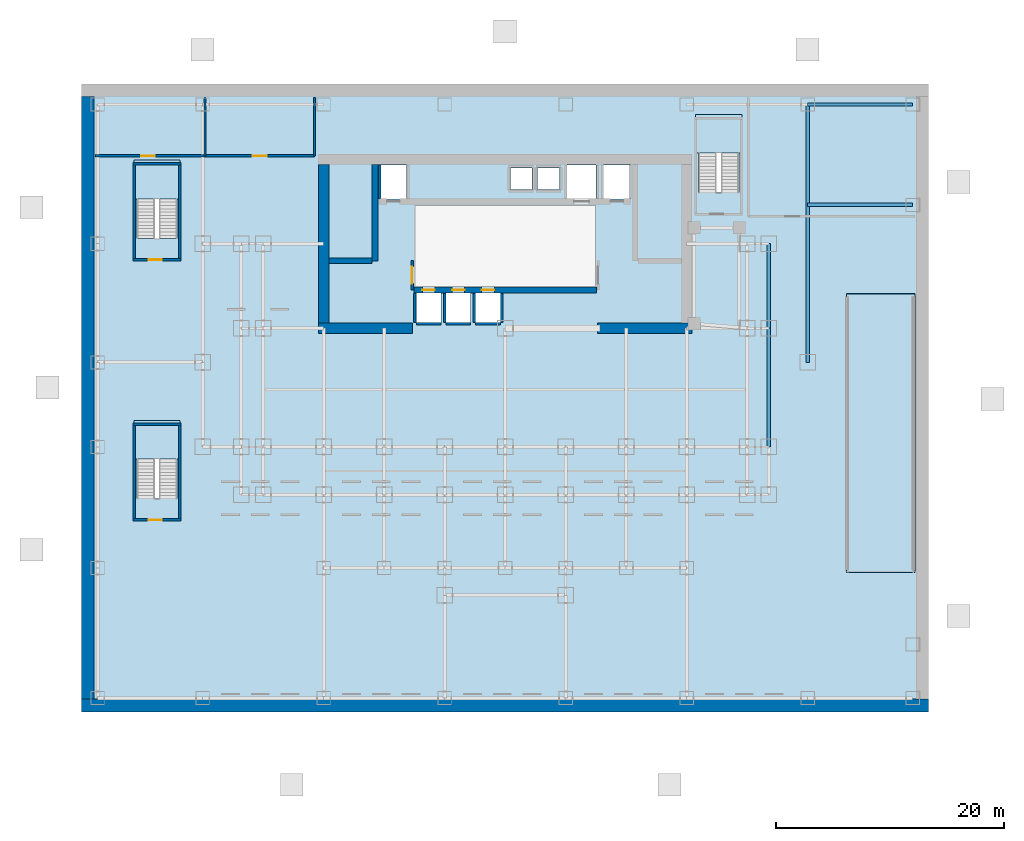
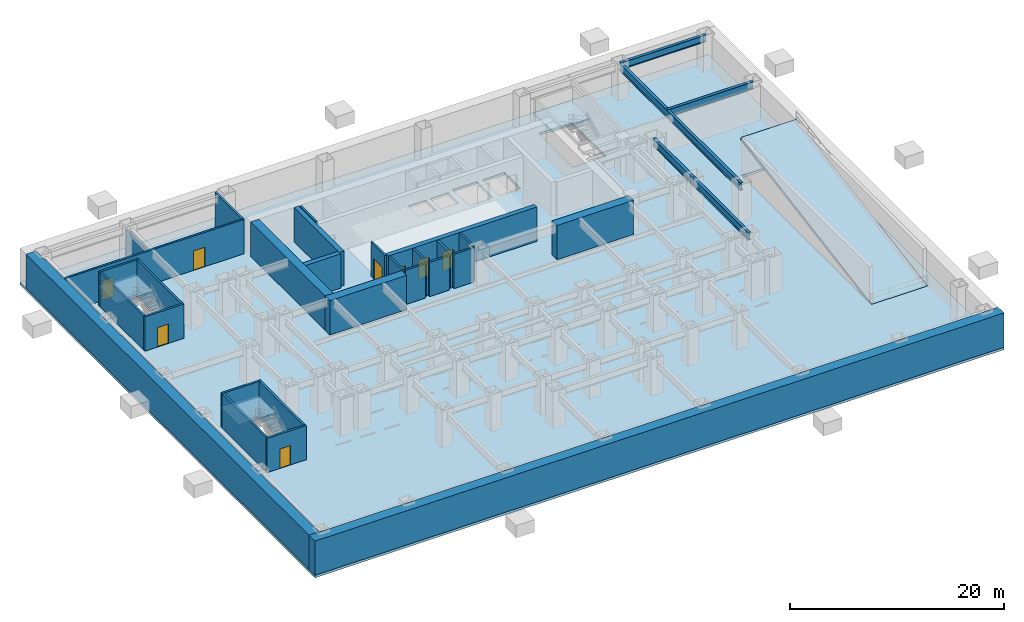
# One storey, part 3 of 7: 28 walls, 8 doors, 5 beams, 5 slabs, 8 openings, 3 elements without a shape of their own.
"""IFC4 building model written with IfcOpenShell, lengths in metres."""

from ifc_helpers import new_model, si_unit, direction, frame, frame_2d, origin, origin_2d, place, context, subcontext, project, spatial, polyline, rectangle, i_section, outline, extrude, material, layer, layer_set, material_profile, profile_set, type_object, element, fill, aggregate, save


model = new_model("IFC4")

# Units and contexts
model_context = context("Model", 3, precision=1e-05, world=origin(), true_north=direction((0.0, 1.0)))
body_context = subcontext(model_context, "Body", "Model", "MODEL_VIEW")
ifc_project = project(units=[si_unit("LENGTHUNIT", "METRE"), si_unit("AREAUNIT", "SQUARE_METRE"), si_unit("VOLUMEUNIT", "CUBIC_METRE"), si_unit("PLANEANGLEUNIT", "RADIAN"), si_unit("MASSUNIT", "GRAM", prefix="KILO")], contexts=[model_context])

# Site, building, storey
site_placement = place(None, origin())
site = spatial("IfcSite", under=ifc_project, at=site_placement, CompositionType="ELEMENT")
building_placement = place(site_placement, origin())
building = spatial("IfcBuilding", under=site, at=building_placement, Name="Qianlan Lanfeng Residences", CompositionType="ELEMENT")
storey_placement = place(building_placement, frame((0.0, 0.0, -4.199951171875)))
storey = spatial("IfcBuildingStorey", under=building, at=storey_placement, Name="B1", CompositionType="ELEMENT", Elevation=-4.199951171875)

# Beams
ifc_material_1 = material(Name="Steel SN490B", Category="steel")
ifc_material_profile_1 = material_profile(ifc_material_1, i_section(OverallWidth=0.300048828125, OverallDepth=0.85009765625, WebThickness=0.01611328125, FlangeThickness=0.031982421875, at=origin_2d()), Name="H 850x300x16x32")
ifc_profile_set_1 = profile_set([ifc_material_profile_1], Name="Steel SN490B")
beam_type_1 = type_object("IfcBeamType", Name="G-1100", PredefinedType="BEAM", material=ifc_profile_set_1)
beam_1_placement = place(storey_placement, frame((49.60009765625, 14.800048828125, 3.474853515625), z_axis=(0.0, 1.0, 0.0), x_axis=(-1.0, 0.0, 0.0)))
element("IfcBeam", 1, at=beam_1_placement, inside=storey, type_object=beam_type_1, Name="Structural beam G-1100", PredefinedType="BEAM", context=body_context, shape_type="SweptSolid", body=[
    extrude(i_section(OverallWidth=0.300048828125, OverallDepth=0.85009765625, WebThickness=0.01611328125, FlangeThickness=0.031982421875, at=origin_2d()), origin(), (0.0, 0.0, 1.0), 10.39990234375),
])
beam_2_placement = place(storey_placement, frame((49.60009765625, 25.199951171875, 3.474853515625), z_axis=(0.0, 1.0, 0.0), x_axis=(-1.0, 0.0, 0.0)))
element("IfcBeam", 2, at=beam_2_placement, inside=storey, type_object=beam_type_1, Name="Structural beam G-1100", PredefinedType="BEAM", context=body_context, shape_type="SweptSolid", body=[
    extrude(i_section(OverallWidth=0.300048828125, OverallDepth=0.85009765625, WebThickness=0.01611328125, FlangeThickness=0.031982421875, at=origin_2d()), origin(), (0.0, 0.0, 1.0), 7.400146484375),
])
beam_3_placement = place(storey_placement, frame((53.0, 36.0, 3.474853515625), z_axis=(1.0, 0.0, 0.0), x_axis=(0.0, 1.0, 0.0)))
element("IfcBeam", 3, at=beam_3_placement, inside=storey, type_object=beam_type_1, Name="Structural beam G-1100", PredefinedType="BEAM", context=body_context, shape_type="SweptSolid", body=[
    extrude(i_section(OverallWidth=0.300048828125, OverallDepth=0.85009765625, WebThickness=0.01611328125, FlangeThickness=0.031982421875, at=origin_2d()), origin(), (0.0, 0.0, 1.0), 9.199951171875),
])
beam_4_placement = place(storey_placement, frame((53.0, 22.199951171875, 3.474853515625), z_axis=(0.0, 1.0, 0.0), x_axis=(-1.0, 0.0, 0.0)))
element("IfcBeam", 4, at=beam_4_placement, inside=storey, type_object=beam_type_1, Name="Structural beam G-1100", PredefinedType="BEAM", context=body_context, shape_type="SweptSolid", body=[
    extrude(i_section(OverallWidth=0.300048828125, OverallDepth=0.85009765625, WebThickness=0.01611328125, FlangeThickness=0.031982421875, at=origin_2d()), origin(), (0.0, 0.0, 1.0), 22.60009765625),
])
ifc_material_profile_2 = material_profile(ifc_material_1, i_section(OverallWidth=0.300048828125, OverallDepth=0.800048828125, WebThickness=0.01611328125, FlangeThickness=0.028076171875, at=origin_2d()), Name="H 800x300x16x28")
ifc_profile_set_2 = profile_set([ifc_material_profile_2], Name="Steel SN490B")
beam_type_2 = type_object("IfcBeamType", Name="SG-950", PredefinedType="SPANDREL", material=ifc_profile_set_2)
beam_5_placement = place(storey_placement, frame((53.0, 44.800048828125, 3.5), z_axis=(1.0, 0.0, 0.0), x_axis=(0.0, 1.0, 0.0)))
element("IfcBeam", 5, at=beam_5_placement, inside=storey, type_object=beam_type_2, Name="Structural beam SG-950", PredefinedType="SPANDREL", context=body_context, shape_type="SweptSolid", body=[
    extrude(i_section(OverallWidth=0.300048828125, OverallDepth=0.800048828125, WebThickness=0.01611328125, FlangeThickness=0.028076171875, at=origin_2d()), origin(), (0.0, 0.0, 1.0), 9.199951171875),
])

# Slab
ifc_material_2 = material(Name="Concrete C49", Category="concrete")
ifc_layer_1 = layer(ifc_material_2, 0.280029296875)
ifc_layer_set_1 = layer_set([ifc_layer_1], Name="Concrete C49")
slab_type_1 = type_object("IfcSlabType", Name="S-FL-280", PredefinedType="FLOOR", material=ifc_layer_set_1)
slab_1_placement = place(storey_placement, frame((0.0, 0.0, -0.280029296875)))
element("IfcSlab", 6, at=slab_1_placement, inside=storey, type_object=slab_type_1, Name="B1 Structural Floor Slab", PredefinedType="FLOOR", context=body_context, shape_type="SweptSolid", body=[
    extrude(outline(polyline([(-10.60009765625, -8.39990234375), (63.60009765625, -8.39990234375), (63.60009765625, 46.60009765625), (-10.60009765625, 46.60009765625), (-10.60009765625, -8.39990234375)]), holes=[polyline([(-5.77001953125, 33.080078125), (-5.77001953125, 39.3798828125), (-2.22998046875, 39.3798828125), (-2.22998046875, 33.080078125), (-5.77001953125, 33.080078125)]), polyline([(43.429931640625, 37.080078125), (43.429931640625, 43.3798828125), (46.969970703125, 43.3798828125), (46.969970703125, 37.080078125), (43.429931640625, 37.080078125)]), polyline([(-5.77001953125, 10.280029296875), (-5.77001953125, 16.580078125), (-2.22998046875, 16.580078125), (-2.22998046875, 10.280029296875), (-5.77001953125, 10.280029296875)]), polyline([(15.52001953125, 36.52001953125), (15.52001953125, 39.47998046875), (17.8798828125, 39.47998046875), (17.8798828125, 36.52001953125), (15.52001953125, 36.52001953125)]), polyline([(35.1201171875, 36.52001953125), (35.1201171875, 39.47998046875), (37.47998046875, 39.47998046875), (37.47998046875, 36.52001953125), (35.1201171875, 36.52001953125)]), polyline([(31.919921875, 36.52001953125), (31.919921875, 39.47998046875), (34.47998046875, 39.47998046875), (34.47998046875, 36.52001953125), (31.919921875, 36.52001953125)]), polyline([(18.719970703125, 25.719970703125), (18.719970703125, 28.280029296875), (20.8798828125, 28.280029296875), (20.8798828125, 25.719970703125), (18.719970703125, 25.719970703125)]), polyline([(21.320068359375, 25.719970703125), (21.320068359375, 28.280029296875), (23.47998046875, 28.280029296875), (23.47998046875, 25.719970703125), (21.320068359375, 25.719970703125)]), polyline([(23.919921875, 25.719970703125), (23.919921875, 28.280029296875), (26.080078125, 28.280029296875), (26.080078125, 25.719970703125), (23.919921875, 25.719970703125)]), polyline([(26.949951171875, 37.35009765625), (26.949951171875, 39.25), (28.85009765625, 39.25), (28.85009765625, 37.35009765625), (26.949951171875, 37.35009765625)]), polyline([(29.35009765625, 37.35009765625), (29.35009765625, 39.25), (31.25, 39.25), (31.25, 37.35009765625), (29.35009765625, 37.35009765625)]), polyline([(56.39990234375, 4.0), (56.39990234375, 28.0), (62.39990234375, 28.0), (62.39990234375, 4.0), (56.39990234375, 4.0)])]), origin(), (0.0, 0.0, 1.0), 0.280029296875),
])

# Stair, slab
ifc_material_3 = material(Name="Concrete C42", Category="concrete")
stair_type = type_object("IfcStairType", Name="STR-POD", PredefinedType="HALF_TURN_STAIR", material=ifc_material_3)
stair_1_placement = place(storey_placement, origin())
stair_1 = element("IfcStair", 7, at=stair_1_placement, inside=storey, type_object=stair_type, Name="B1 Exit Stair ST-B1", PredefinedType="HALF_TURN_STAIR")
ifc_layer_2 = layer(ifc_material_3, 0.179931640625)
ifc_layer_set_2 = layer_set([ifc_layer_2], Name="Concrete C42")
slab_type_2 = type_object("IfcSlabType", Name="S-LND-180", PredefinedType="LANDING", material=ifc_layer_set_2)
slab_2_placement = place(storey_placement, frame((0.0, 0.0, 1.89990234375)))
slab_2 = element("IfcSlab", 8, at=slab_2_placement, type_object=slab_type_2, Name="ST-B1 landing 1", PredefinedType="LANDING", context=body_context, shape_type="SweptSolid", body=[
    extrude(outline(polyline([(-6.030029296875, 36.530029296875), (-1.969970703125, 36.530029296875), (-1.969970703125, 39.929931640625), (-6.030029296875, 39.929931640625), (-6.030029296875, 36.530029296875)])), origin(), (0.0, 0.0, 1.0), 0.199951171875),
])
aggregate(stair_1, [slab_2])

stair_2_placement = place(storey_placement, origin())
stair_2 = element("IfcStair", 9, at=stair_2_placement, inside=storey, type_object=stair_type, Name="B1 Exit Stair ST-B2", PredefinedType="HALF_TURN_STAIR")
slab_3_placement = place(storey_placement, frame((0.0, 0.0, 1.89990234375)))
slab_3 = element("IfcSlab", 10, at=slab_3_placement, type_object=slab_type_2, Name="ST-B2 landing 1", PredefinedType="LANDING", context=body_context, shape_type="SweptSolid", body=[
    extrude(outline(polyline([(43.169921875, 40.530029296875), (47.22998046875, 40.530029296875), (47.22998046875, 43.929931640625), (43.169921875, 43.929931640625), (43.169921875, 40.530029296875)])), origin(), (0.0, 0.0, 1.0), 0.199951171875),
])
aggregate(stair_2, [slab_3])

stair_3_placement = place(storey_placement, origin())
stair_3 = element("IfcStair", 11, at=stair_3_placement, inside=storey, type_object=stair_type, Name="B1 Exit Stair ST-BP1", PredefinedType="HALF_TURN_STAIR")
slab_4_placement = place(storey_placement, frame((0.0, 0.0, 1.89990234375)))
slab_4 = element("IfcSlab", 12, at=slab_4_placement, type_object=slab_type_2, Name="ST-BP1 landing 1", PredefinedType="LANDING", context=body_context, shape_type="SweptSolid", body=[
    extrude(outline(polyline([(-6.030029296875, 13.72998046875), (-1.969970703125, 13.72998046875), (-1.969970703125, 17.1298828125), (-6.030029296875, 17.1298828125), (-6.030029296875, 13.72998046875)])), origin(), (0.0, 0.0, 1.0), 0.199951171875),
])
aggregate(stair_3, [slab_4])

# Slab
ifc_layer_3 = layer(ifc_material_2, 0.300048828125)
ifc_layer_set_3 = layer_set([ifc_layer_3], Name="Concrete C49")
slab_type_3 = type_object("IfcSlabType", Name="S-VRMP-300", PredefinedType="FLOOR", material=ifc_layer_set_3)
slab_5_placement = place(storey_placement, frame((56.39990234375, 3.800048828125, 0.0), z_axis=(0.0, -0.169635146258, 0.985506934097), x_axis=(1.0, 0.0, 0.0)))
element("IfcSlab", 13, at=slab_5_placement, inside=storey, type_object=slab_type_3, Name="B1 Sloped Structural Vehicle Car-Park Ramp Slab (S-VRMP-300)", PredefinedType="FLOOR", context=body_context, shape_type="SweptSolid", body=[
    extrude(outline(polyline([(0.0, 0.0), (6.0, 0.0), (6.0, 24.758732282382127), (0.0, 24.758732282382127), (0.0, 0.0)])), origin(), (0.0, 0.0, -1.0), 0.300048828125),
])

# Walls
ifc_material_4 = material(Name="Concrete C70", Category="concrete")
ifc_layer_4 = layer(ifc_material_4, 0.5)
ifc_layer_set_4 = layer_set([ifc_layer_4], Name="Concrete C70")
wall_type_1 = type_object("IfcWallType", Name="CW-RC-500", PredefinedType="SHEAR", material=ifc_layer_set_4)
wall_1_placement = place(storey_placement, frame((15.10009765625, 31.10009765625, 0.0), z_axis=(0.0, 0.0, 1.0), x_axis=(0.0, 1.0, 0.0)))
element("IfcWall", 14, at=wall_1_placement, inside=storey, type_object=wall_type_1, Name="B1 Core Shear Wall ST1E", PredefinedType="SHEAR", context=body_context, shape_type="SweptSolid", body=[
    extrude(rectangle(XDim=8.449951171875, YDim=0.5, at=frame_2d((4.22509765625, 0.0))), origin(), (0.0, 0.0, 1.0), 3.89990234375),
])
wall_2_placement = place(storey_placement, frame((11.050048828125, 31.10009765625, 0.0), z_axis=(0.0, 0.0, 1.0), x_axis=(1.0, 0.0, 0.0)))
element("IfcWall", 15, at=wall_2_placement, inside=storey, type_object=wall_type_1, Name="B1 Core Shear Wall ST1S", PredefinedType="SHEAR", context=body_context, shape_type="SweptSolid", body=[
    extrude(rectangle(XDim=3.800048828125, YDim=0.5, at=frame_2d((1.89990234375, 0.0))), origin(), (0.0, 0.0, 1.0), 3.89990234375),
])

# Wall, openings, doors
wall_3_placement = place(storey_placement, frame((18.5, 28.550048828125, 0.0), z_axis=(0.0, 0.0, 1.0), x_axis=(1.0, 0.0, 0.0)))
wall_3 = element("IfcWall", 16, at=wall_3_placement, inside=storey, type_object=wall_type_1, Name="B1 Core Shear Wall LBS", PredefinedType="SHEAR", context=body_context, shape_type="SweptSolid", body=[
    extrude(rectangle(XDim=16.0, YDim=0.5, at=frame_2d((8.0, 0.0))), origin(), (0.0, 0.0, 1.0), 3.89990234375),
])
opening_1_placement = place(wall_3_placement, frame((0.75, 0.0, 0.0)))
opening_1 = element("IfcOpeningElement", 17, at=opening_1_placement, cuts=wall_3, Name="Opening B1-LD-PL-L1", PredefinedType="OPENING", context=body_context, shape_type="SweptSolid", body=[
    extrude(rectangle(XDim=1.10009765625, YDim=2.14990234375, at=frame_2d((0.550048828125, 1.074951171875))), frame((0.0, 0.260009765625, 0.0), z_axis=(0.0, -1.0, 0.0), x_axis=(1.0, 0.0, 0.0)), (0.0, 0.0, 1.0), 0.52001953125),
])
opening_2_placement = place(wall_3_placement, frame((3.35009765625, 0.0, 0.0)))
opening_2 = element("IfcOpeningElement", 18, at=opening_2_placement, cuts=wall_3, Name="Opening B1-LD-PL-L2", PredefinedType="OPENING", context=body_context, shape_type="SweptSolid", body=[
    extrude(rectangle(XDim=1.10009765625, YDim=2.14990234375, at=frame_2d((0.550048828125, 1.074951171875))), frame((0.0, 0.260009765625, 0.0), z_axis=(0.0, -1.0, 0.0), x_axis=(1.0, 0.0, 0.0)), (0.0, 0.0, 1.0), 0.52001953125),
])
opening_3_placement = place(wall_3_placement, frame((5.949951171875, 0.0, 0.0)))
opening_3 = element("IfcOpeningElement", 19, at=opening_3_placement, cuts=wall_3, Name="Opening B1-LD-PL-L3", PredefinedType="OPENING", context=body_context, shape_type="SweptSolid", body=[
    extrude(rectangle(XDim=1.10009765625, YDim=2.14990234375, at=frame_2d((0.550048828125, 1.074951171875))), frame((0.0, 0.260009765625, 0.0), z_axis=(0.0, -1.0, 0.0), x_axis=(1.0, 0.0, 0.0)), (0.0, 0.0, 1.0), 0.52001953125),
])
ifc_material_5 = material(Name="Brushed Stainless Steel Sliding Lift Door", Category="steel")
door_type_1 = type_object("IfcDoorType", Name="LD-01", OperationType="NOTDEFINED", PredefinedType="DOOR", material=ifc_material_5)
door_1_placement = place(opening_1_placement, origin())
door_1 = element("IfcDoor", 20, at=door_1_placement, inside=storey, type_object=door_type_1, Name="B1 Elevator PL-L1 Sliding Landing Door", OperationType="DOUBLE_DOOR_SLIDING", OverallHeight=2.14990234375, OverallWidth=1.10009765625, PredefinedType="DOOR", context=body_context, shape_type="SweptSolid", body=[
    extrude(rectangle(XDim=1.10009765625, YDim=2.14990234375, at=frame_2d((0.550048828125, 1.074951171875))), frame((0.0, 0.02490234375, 0.0), z_axis=(0.0, -1.0, 0.0), x_axis=(1.0, 0.0, 0.0)), (0.0, 0.0, 1.0), 0.050048828125),
])
fill(opening_1, door_1)
door_2_placement = place(opening_2_placement, origin())
door_2 = element("IfcDoor", 21, at=door_2_placement, inside=storey, type_object=door_type_1, Name="B1 Elevator PL-L2 Sliding Landing Door", OperationType="DOUBLE_DOOR_SLIDING", OverallHeight=2.14990234375, OverallWidth=1.10009765625, PredefinedType="DOOR", context=body_context, shape_type="SweptSolid", body=[
    extrude(rectangle(XDim=1.10009765625, YDim=2.14990234375, at=frame_2d((0.550048828125, 1.074951171875))), frame((0.0, 0.02490234375, 0.0), z_axis=(0.0, -1.0, 0.0), x_axis=(1.0, 0.0, 0.0)), (0.0, 0.0, 1.0), 0.050048828125),
])
fill(opening_2, door_2)
door_3_placement = place(opening_3_placement, origin())
door_3 = element("IfcDoor", 22, at=door_3_placement, inside=storey, type_object=door_type_1, Name="B1 Elevator PL-L3 Sliding Landing Door", OperationType="DOUBLE_DOOR_SLIDING", OverallHeight=2.14990234375, OverallWidth=1.10009765625, PredefinedType="DOOR", context=body_context, shape_type="SweptSolid", body=[
    extrude(rectangle(XDim=1.10009765625, YDim=2.14990234375, at=frame_2d((0.550048828125, 1.074951171875))), frame((0.0, 0.02490234375, 0.0), z_axis=(0.0, -1.0, 0.0), x_axis=(1.0, 0.0, 0.0)), (0.0, 0.0, 1.0), 0.050048828125),
])
fill(opening_3, door_3)

# Walls
ifc_layer_5 = layer(ifc_material_4, 0.89990234375)
ifc_layer_set_5 = layer_set([ifc_layer_5], Name="Concrete C70")
wall_type_2 = type_object("IfcWallType", Name="CW-RC-900", PredefinedType="SHEAR", material=ifc_layer_set_5)
wall_4_placement = place(storey_placement, frame((10.60009765625, 25.64990234375, 0.0), z_axis=(0.0, 0.0, 1.0), x_axis=(0.0, 1.0, 0.0)))
element("IfcWall", 23, at=wall_4_placement, inside=storey, type_object=wall_type_2, Name="B1 Core Shear Wall W", PredefinedType="SHEAR", context=body_context, shape_type="SweptSolid", body=[
    extrude(rectangle(XDim=13.900146484375, YDim=0.89990234375, at=frame_2d((6.9501953125, 0.0))), origin(), (0.0, 0.0, 1.0), 3.89990234375),
])
for number, where, z_axis, x_axis, name in (
    (24, (10.14990234375, 25.199951171875, 0.0), (0.0, 0.0, 1.0), (1.0, 0.0, 0.0), "B1 Core Shear Wall SW"),
    (25, (34.60009765625, 25.199951171875, 0.0), (0.0, 0.0, 1.0), (1.0, 0.0, 0.0), "B1 Core Shear Wall SE"),
):
    element("IfcWall", number, at=place(storey_placement, frame(where, z_axis=z_axis, x_axis=x_axis)), inside=storey, type_object=wall_type_2, Name=name, PredefinedType="SHEAR", context=body_context, shape_type="SweptSolid", body=[
        extrude(rectangle(XDim=8.25, YDim=0.89990234375, at=frame_2d((4.125, 0.0))), origin(), (0.0, 0.0, 1.0), 3.89990234375),
    ])
ifc_layer_6 = layer(ifc_material_2, 1.10009765625)
ifc_layer_set_6 = layer_set([ifc_layer_6], Name="Concrete C49")
wall_type_3 = type_object("IfcWallType", Name="DW-1100", PredefinedType="USERDEFINED", material=ifc_layer_set_6)
wall_5_placement = place(storey_placement, frame((-10.60009765625, -7.85009765625, 0.0), z_axis=(0.0, 0.0, 1.0), x_axis=(1.0, 0.0, 0.0)))
element("IfcWall", 26, at=wall_5_placement, inside=storey, type_object=wall_type_3, Name="B1 Diaphragm Retaining Wall S", ObjectType="RETAININGWALL", PredefinedType="USERDEFINED", context=body_context, shape_type="SweptSolid", body=[
    extrude(rectangle(XDim=74.2001953125, YDim=1.10009765625, at=frame_2d((37.10009765625, 0.0))), origin(), (0.0, 0.0, 1.0), 3.89990234375),
])
wall_6_placement = place(storey_placement, frame((-10.050048828125, 45.5, 0.0), z_axis=(0.0, 0.0, 1.0), x_axis=(0.0, -1.0, 0.0)))
element("IfcWall", 27, at=wall_6_placement, inside=storey, type_object=wall_type_3, Name="B1 Diaphragm Retaining Wall W", ObjectType="RETAININGWALL", PredefinedType="USERDEFINED", context=body_context, shape_type="SweptSolid", body=[
    extrude(rectangle(XDim=52.800048828125, YDim=1.10009765625, at=frame_2d((26.39990234375, 0.0))), origin(), (0.0, 0.0, 1.0), 3.89990234375),
])

# Wall, opening, door
ifc_material_6 = material(Name="Autoclaved Aerated Concrete Blockwork 200 mm", Category="masonry")
ifc_layer_7 = layer(ifc_material_6, 0.199951171875)
ifc_layer_set_7 = layer_set([ifc_layer_7], Name="Autoclaved Aerated Concrete Blockwork 200 mm")
wall_type_4 = type_object("IfcWallType", Name="PW-200", PredefinedType="PARTITIONING", material=ifc_layer_set_7)
wall_7_placement = place(storey_placement, frame((18.35009765625, 28.550048828125, 0.0), z_axis=(0.0, 0.0, 1.0), x_axis=(0.0, 1.0, 0.0)))
wall_7 = element("IfcWall", 28, at=wall_7_placement, inside=storey, type_object=wall_type_4, Name="B1 Lift Lobby West Connector Wall", PredefinedType="PARTITIONING", context=body_context, shape_type="SweptSolid", body=[
    extrude(rectangle(XDim=2.599853515625, YDim=0.199951171875, at=frame_2d((1.2998046875, 0.0))), origin(), (0.0, 0.0, 1.0), 3.89990234375),
])
opening_4_placement = place(wall_7_placement, frame((0.550048828125, 0.0, 0.0)))
opening_4 = element("IfcOpeningElement", 29, at=opening_4_placement, cuts=wall_7, Name="Opening B1-D04", PredefinedType="OPENING", context=body_context, shape_type="SweptSolid", body=[
    extrude(rectangle(XDim=1.5, YDim=2.25, at=frame_2d((0.75, 1.125))), frame((0.0, 0.10986328125, 0.0), z_axis=(0.0, -1.0, 0.0), x_axis=(1.0, 0.0, 0.0)), (0.0, 0.0, 1.0), 0.219970703125),
])
ifc_material_7 = material(Name="Timber Veneer Acoustic Fire Door", Category="wood")
door_type_2 = type_object("IfcDoorType", Name="DT-COR1", OperationType="NOTDEFINED", PredefinedType="DOOR", material=ifc_material_7)
door_4_placement = place(opening_4_placement, origin())
door_4 = element("IfcDoor", 30, at=door_4_placement, inside=storey, type_object=door_type_2, Name="B1 Lift Lobby West Portal Door B1-D04 (DT-COR1)", OperationType="DOUBLE_DOOR_SINGLE_SWING", OverallHeight=2.25, OverallWidth=1.5, PredefinedType="DOOR", context=body_context, shape_type="SweptSolid", body=[
    extrude(rectangle(XDim=1.5, YDim=2.25, at=frame_2d((0.75, 1.125))), frame((0.0, 0.02490234375, 0.0), z_axis=(0.0, -1.0, 0.0), x_axis=(1.0, 0.0, 0.0)), (0.0, 0.0, 1.0), 0.050048828125),
])
fill(opening_4, door_4)

# Wall, openings, doors
wall_8_placement = place(storey_placement, frame((-9.39990234375, 40.300048828125, 0.0), z_axis=(0.0, 0.0, 1.0), x_axis=(1.0, 0.0, 0.0)))
wall_8 = element("IfcWall", 31, at=wall_8_placement, inside=storey, type_object=wall_type_4, Name="B1 Basement Plant Room Wall", PredefinedType="PARTITIONING", context=body_context, shape_type="SweptSolid", body=[
    extrude(rectangle(XDim=19.199951171875, YDim=0.199951171875, at=frame_2d((9.60009765625, 0.0))), origin(), (0.0, 0.0, 1.0), 3.89990234375),
])
opening_5_placement = place(wall_8_placement, frame((4.0, 0.0, 0.0)))
opening_5 = element("IfcOpeningElement", 32, at=opening_5_placement, cuts=wall_8, Name="Opening B1-D06", PredefinedType="OPENING", context=body_context, shape_type="SweptSolid", body=[
    extrude(rectangle(XDim=1.199951171875, YDim=2.199951171875, at=frame_2d((0.60009765625, 1.10009765625))), frame((0.0, 0.10986328125, 0.0), z_axis=(0.0, -1.0, 0.0), x_axis=(1.0, 0.0, 0.0)), (0.0, 0.0, 1.0), 0.219970703125),
])
opening_6_placement = place(wall_8_placement, frame((13.800048828125, 0.0, 0.0)))
opening_6 = element("IfcOpeningElement", 33, at=opening_6_placement, cuts=wall_8, Name="Opening B1-D07", PredefinedType="OPENING", context=body_context, shape_type="SweptSolid", body=[
    extrude(rectangle(XDim=1.199951171875, YDim=2.199951171875, at=frame_2d((0.60009765625, 1.10009765625))), frame((0.0, 0.10986328125, 0.0), z_axis=(0.0, -1.0, 0.0), x_axis=(1.0, 0.0, 0.0)), (0.0, 0.0, 1.0), 0.219970703125),
])
ifc_material_8 = material(Name="Painted Galvanised Steel Plant Door", Category="steel")
door_type_3 = type_object("IfcDoorType", Name="DT-PLT", OperationType="NOTDEFINED", PredefinedType="DOOR", material=ifc_material_8)
door_5_placement = place(opening_5_placement, origin())
door_5 = element("IfcDoor", 34, at=door_5_placement, inside=storey, type_object=door_type_3, Name="B1 Basement Plant Room Door B1-D06 (DT-PLT)", OperationType="SINGLE_SWING_RIGHT", OverallHeight=2.199951171875, OverallWidth=1.199951171875, PredefinedType="DOOR", context=body_context, shape_type="SweptSolid", body=[
    extrude(rectangle(XDim=1.199951171875, YDim=2.199951171875, at=frame_2d((0.60009765625, 1.10009765625))), frame((0.0, 0.02490234375, 0.0), z_axis=(0.0, -1.0, 0.0), x_axis=(1.0, 0.0, 0.0)), (0.0, 0.0, 1.0), 0.050048828125),
])
fill(opening_5, door_5)
door_6_placement = place(opening_6_placement, origin())
door_6 = element("IfcDoor", 35, at=door_6_placement, inside=storey, type_object=door_type_3, Name="B1 Fire Pump Room Door B1-D07 (DT-PLT)", OperationType="SINGLE_SWING_LEFT", OverallHeight=2.199951171875, OverallWidth=1.199951171875, PredefinedType="DOOR", context=body_context, shape_type="SweptSolid", body=[
    extrude(rectangle(XDim=1.199951171875, YDim=2.199951171875, at=frame_2d((0.60009765625, 1.10009765625))), frame((0.0, 0.02490234375, 0.0), z_axis=(0.0, -1.0, 0.0), x_axis=(1.0, 0.0, 0.0)), (0.0, 0.0, 1.0), 0.050048828125),
])
fill(opening_6, door_6)

# Walls
wall_9_placement = place(storey_placement, frame((9.800048828125, 40.300048828125, 0.0), z_axis=(0.0, 0.0, 1.0), x_axis=(0.0, 1.0, 0.0)))
element("IfcWall", 36, at=wall_9_placement, inside=storey, type_object=wall_type_4, Name="B1 Basement Plant East Wall", PredefinedType="PARTITIONING", context=body_context, shape_type="SweptSolid", body=[
    extrude(rectangle(XDim=5.099853515625, YDim=0.199951171875, at=frame_2d((2.5498046875, 0.0))), origin(), (0.0, 0.0, 1.0), 3.89990234375),
])
wall_10_placement = place(storey_placement, frame((0.199951171875, 40.300048828125, 0.0), z_axis=(0.0, 0.0, 1.0), x_axis=(0.0, 1.0, 0.0)))
element("IfcWall", 37, at=wall_10_placement, inside=storey, type_object=wall_type_4, Name="B1 Basement Plant Divider", PredefinedType="PARTITIONING", context=body_context, shape_type="SweptSolid", body=[
    extrude(rectangle(XDim=5.099853515625, YDim=0.199951171875, at=frame_2d((2.5498046875, 0.0))), origin(), (0.0, 0.0, 1.0), 3.044921875),
])
ifc_layer_8 = layer(ifc_material_2, 0.219970703125)
ifc_layer_set_8 = layer_set([ifc_layer_8], Name="Concrete C49")
wall_type_5 = type_object("IfcWallType", Name="SHW-220", PredefinedType="SOLIDWALL", material=ifc_layer_set_8)
wall_11_placement = place(storey_placement, frame((15.52001953125, 36.550048828125, 0.0), z_axis=(0.0, 0.0, 1.0), x_axis=(0.0, 1.0, 0.0)))
element("IfcWall", 38, at=wall_11_placement, inside=storey, type_object=wall_type_5, Name="B1 Lift FFL-1 Shaft Wall W", PredefinedType="SOLIDWALL", context=body_context, shape_type="SweptSolid", body=[
    extrude(rectangle(XDim=2.929931640625, YDim=0.219970703125, at=frame_2d((1.46484375, 0.0))), origin(), (0.0, 0.0, 1.0), 3.89990234375),
])
wall_12_placement = place(storey_placement, frame((18.60009765625, 25.719970703125, 0.0), z_axis=(0.0, 0.0, 1.0), x_axis=(0.0, 1.0, 0.0)))
element("IfcWall", 39, at=wall_12_placement, inside=storey, type_object=wall_type_5, Name="B1 Lift PL-L1 Shaft Wall W", PredefinedType="SOLIDWALL", context=body_context, shape_type="SweptSolid", body=[
    extrude(rectangle(XDim=2.530029296875, YDim=0.219970703125, at=frame_2d((1.26513671875, 0.0))), origin(), (0.0, 0.0, 1.0), 3.89990234375),
])
wall_13_placement = place(storey_placement, frame((18.719970703125, 25.60009765625, 0.0), z_axis=(0.0, 0.0, 1.0), x_axis=(1.0, 0.0, 0.0)))
element("IfcWall", 40, at=wall_13_placement, inside=storey, type_object=wall_type_5, Name="B1 Lift PL-L1 Shaft Back Wall S", PredefinedType="SOLIDWALL", context=body_context, shape_type="SweptSolid", body=[
    extrude(rectangle(XDim=2.159912109375, YDim=0.219970703125, at=frame_2d((1.080078125, 0.0))), origin(), (0.0, 0.0, 1.0), 3.89990234375),
])
wall_14_placement = place(storey_placement, frame((21.199951171875, 25.719970703125, 0.0), z_axis=(0.0, 0.0, 1.0), x_axis=(0.0, 1.0, 0.0)))
element("IfcWall", 41, at=wall_14_placement, inside=storey, type_object=wall_type_5, Name="B1 Lift PL-L2 Shaft Wall W", PredefinedType="SOLIDWALL", context=body_context, shape_type="SweptSolid", body=[
    extrude(rectangle(XDim=2.530029296875, YDim=0.219970703125, at=frame_2d((1.26513671875, 0.0))), origin(), (0.0, 0.0, 1.0), 3.89990234375),
])
wall_15_placement = place(storey_placement, frame((21.320068359375, 25.60009765625, 0.0), z_axis=(0.0, 0.0, 1.0), x_axis=(1.0, 0.0, 0.0)))
element("IfcWall", 42, at=wall_15_placement, inside=storey, type_object=wall_type_5, Name="B1 Lift PL-L2 Shaft Back Wall S", PredefinedType="SOLIDWALL", context=body_context, shape_type="SweptSolid", body=[
    extrude(rectangle(XDim=2.159912109375, YDim=0.219970703125, at=frame_2d((1.080078125, 0.0))), origin(), (0.0, 0.0, 1.0), 3.89990234375),
])
for number, where, z_axis, x_axis, name in (
    (43, (23.800048828125, 25.719970703125, 0.0), (0.0, 0.0, 1.0), (0.0, 1.0, 0.0), "B1 Lift PL-L3 Shaft Wall W"),
    (44, (26.199951171875, 25.719970703125, 0.0), (0.0, 0.0, 1.0), (0.0, 1.0, 0.0), "B1 Lift PL-L3 Shaft Wall E"),
):
    element("IfcWall", number, at=place(storey_placement, frame(where, z_axis=z_axis, x_axis=x_axis)), inside=storey, type_object=wall_type_5, Name=name, PredefinedType="SOLIDWALL", context=body_context, shape_type="SweptSolid", body=[
        extrude(rectangle(XDim=2.530029296875, YDim=0.219970703125, at=frame_2d((1.26513671875, 0.0))), origin(), (0.0, 0.0, 1.0), 3.89990234375),
    ])
wall_16_placement = place(storey_placement, frame((23.919921875, 25.60009765625, 0.0), z_axis=(0.0, 0.0, 1.0), x_axis=(1.0, 0.0, 0.0)))
element("IfcWall", 45, at=wall_16_placement, inside=storey, type_object=wall_type_5, Name="B1 Lift PL-L3 Shaft Back Wall S", PredefinedType="SOLIDWALL", context=body_context, shape_type="SweptSolid", body=[
    extrude(rectangle(XDim=2.16015625, YDim=0.219970703125, at=frame_2d((1.080078125, 0.0))), origin(), (0.0, 0.0, 1.0), 3.89990234375),
])
ifc_layer_9 = layer(ifc_material_2, 0.219970703125)
ifc_layer_set_9 = layer_set([ifc_layer_9], Name="Concrete C49")
wall_type_6 = type_object("IfcWallType", Name="STW-RC-220", PredefinedType="SHEAR", material=ifc_layer_set_9)
wall_17_placement = place(storey_placement, frame((-6.110107421875, 39.60009765625, 0.0), z_axis=(0.0, 0.0, 1.0), x_axis=(1.0, 0.0, 0.0)))
element("IfcWall", 46, at=wall_17_placement, inside=storey, type_object=wall_type_6, Name="B1 Stair ST-B1 Enclosure Wall N", PredefinedType="SHEAR", context=body_context, shape_type="SweptSolid", body=[
    extrude(rectangle(XDim=4.22021484375, YDim=0.219970703125, at=frame_2d((2.110107421875, 0.0))), origin(), (0.0, 0.0, 1.0), 3.89990234375),
])
for number, where, z_axis, x_axis, name in (
    (47, (-6.0, 31.31005859375, 0.0), (0.0, 0.0, 1.0), (0.0, 1.0, 0.0), "B1 Stair ST-B1 Enclosure Wall W"),
    (48, (-2.0, 31.31005859375, 0.0), (0.0, 0.0, 1.0), (0.0, 1.0, 0.0), "B1 Stair ST-B1 Enclosure Wall E"),
):
    element("IfcWall", number, at=place(storey_placement, frame(where, z_axis=z_axis, x_axis=x_axis)), inside=storey, type_object=wall_type_6, Name=name, PredefinedType="SHEAR", context=body_context, shape_type="SweptSolid", body=[
        extrude(rectangle(XDim=8.179931640625, YDim=0.219970703125, at=frame_2d((4.08984375, 0.0))), origin(), (0.0, 0.0, 1.0), 3.89990234375),
    ])

# Wall, opening, door
wall_18_placement = place(storey_placement, frame((-6.110107421875, 31.199951171875, 0.0), z_axis=(0.0, 0.0, 1.0), x_axis=(1.0, 0.0, 0.0)))
wall_18 = element("IfcWall", 49, at=wall_18_placement, inside=storey, type_object=wall_type_6, Name="B1 Stair ST-B1 Enclosure Wall S", PredefinedType="SHEAR", context=body_context, shape_type="SweptSolid", body=[
    extrude(rectangle(XDim=4.22021484375, YDim=0.219970703125, at=frame_2d((2.110107421875, 0.0))), origin(), (0.0, 0.0, 1.0), 3.89990234375),
])
opening_7_placement = place(wall_18_placement, frame((1.375, 0.0, 0.0)))
opening_7 = element("IfcOpeningElement", 50, at=opening_7_placement, cuts=wall_18, Name="Opening B1-D01", PredefinedType="OPENING", context=body_context, shape_type="SweptSolid", body=[
    extrude(rectangle(XDim=1.14990234375, YDim=2.199951171875, at=frame_2d((0.574951171875, 1.10009765625))), frame((0.0, 0.1201171875, 0.0), z_axis=(0.0, -1.0, 0.0), x_axis=(1.0, 0.0, 0.0)), (0.0, 0.0, 1.0), 0.239990234375),
])
ifc_material_9 = material(Name="Painted Galvanised Steel Fire Door", Category="steel")
door_type_4 = type_object("IfcDoorType", Name="DT-ST1", OperationType="NOTDEFINED", PredefinedType="DOOR", material=ifc_material_9)
door_7_placement = place(opening_7_placement, origin())
door_7 = element("IfcDoor", 51, at=door_7_placement, inside=storey, type_object=door_type_4, Name="B1 Exit Stair ST-B1 Door B1-D01 (DT-ST1)", OperationType="SINGLE_SWING_LEFT", OverallHeight=2.199951171875, OverallWidth=1.14990234375, PredefinedType="DOOR", context=body_context, shape_type="SweptSolid", body=[
    extrude(rectangle(XDim=1.14990234375, YDim=2.199951171875, at=frame_2d((0.574951171875, 1.10009765625))), frame((0.0, 0.02490234375, 0.0), z_axis=(0.0, -1.0, 0.0), x_axis=(1.0, 0.0, 0.0)), (0.0, 0.0, 1.0), 0.050048828125),
])
fill(opening_7, door_7)

# Walls
wall_19_placement = place(storey_placement, frame((-6.110107421875, 16.800048828125, 0.0), z_axis=(0.0, 0.0, 1.0), x_axis=(1.0, 0.0, 0.0)))
element("IfcWall", 52, at=wall_19_placement, inside=storey, type_object=wall_type_6, Name="B1 Stair ST-BP1 Enclosure Wall N", PredefinedType="SHEAR", context=body_context, shape_type="SweptSolid", body=[
    extrude(rectangle(XDim=4.22021484375, YDim=0.219970703125, at=frame_2d((2.110107421875, 0.0))), origin(), (0.0, 0.0, 1.0), 3.89990234375),
])
for number, where, z_axis, x_axis, name in (
    (53, (-6.0, 8.510009765625, 0.0), (0.0, 0.0, 1.0), (0.0, 1.0, 0.0), "B1 Stair ST-BP1 Enclosure Wall W"),
    (54, (-2.0, 8.510009765625, 0.0), (0.0, 0.0, 1.0), (0.0, 1.0, 0.0), "B1 Stair ST-BP1 Enclosure Wall E"),
):
    element("IfcWall", number, at=place(storey_placement, frame(where, z_axis=z_axis, x_axis=x_axis)), inside=storey, type_object=wall_type_6, Name=name, PredefinedType="SHEAR", context=body_context, shape_type="SweptSolid", body=[
        extrude(rectangle(XDim=8.179931640625, YDim=0.219970703125, at=frame_2d((4.08984375, 0.0))), origin(), (0.0, 0.0, 1.0), 3.89990234375),
    ])

# Wall, opening, door
wall_20_placement = place(storey_placement, frame((-6.110107421875, 8.39990234375, 0.0), z_axis=(0.0, 0.0, 1.0), x_axis=(1.0, 0.0, 0.0)))
wall_20 = element("IfcWall", 55, at=wall_20_placement, inside=storey, type_object=wall_type_6, Name="B1 Stair ST-BP1 Enclosure Wall S", PredefinedType="SHEAR", context=body_context, shape_type="SweptSolid", body=[
    extrude(rectangle(XDim=4.22021484375, YDim=0.219970703125, at=frame_2d((2.110107421875, 0.0))), origin(), (0.0, 0.0, 1.0), 3.89990234375),
])
opening_8_placement = place(wall_20_placement, frame((1.375, 0.0, 0.0)))
opening_8 = element("IfcOpeningElement", 56, at=opening_8_placement, cuts=wall_20, Name="Opening B1-D03", PredefinedType="OPENING", context=body_context, shape_type="SweptSolid", body=[
    extrude(rectangle(XDim=1.14990234375, YDim=2.199951171875, at=frame_2d((0.574951171875, 1.10009765625))), frame((0.0, 0.1201171875, 0.0), z_axis=(0.0, -1.0, 0.0), x_axis=(1.0, 0.0, 0.0)), (0.0, 0.0, 1.0), 0.239990234375),
])
door_8_placement = place(opening_8_placement, origin())
door_8 = element("IfcDoor", 57, at=door_8_placement, inside=storey, type_object=door_type_4, Name="B1 Exit Stair ST-BP1 Door B1-D03 (DT-ST1)", OperationType="SINGLE_SWING_LEFT", OverallHeight=2.199951171875, OverallWidth=1.14990234375, PredefinedType="DOOR", context=body_context, shape_type="SweptSolid", body=[
    extrude(rectangle(XDim=1.14990234375, YDim=2.199951171875, at=frame_2d((0.574951171875, 1.10009765625))), frame((0.0, 0.02490234375, 0.0), z_axis=(0.0, -1.0, 0.0), x_axis=(1.0, 0.0, 0.0)), (0.0, 0.0, 1.0), 0.050048828125),
])
fill(opening_8, door_8)

save(model, "model.ifc")
